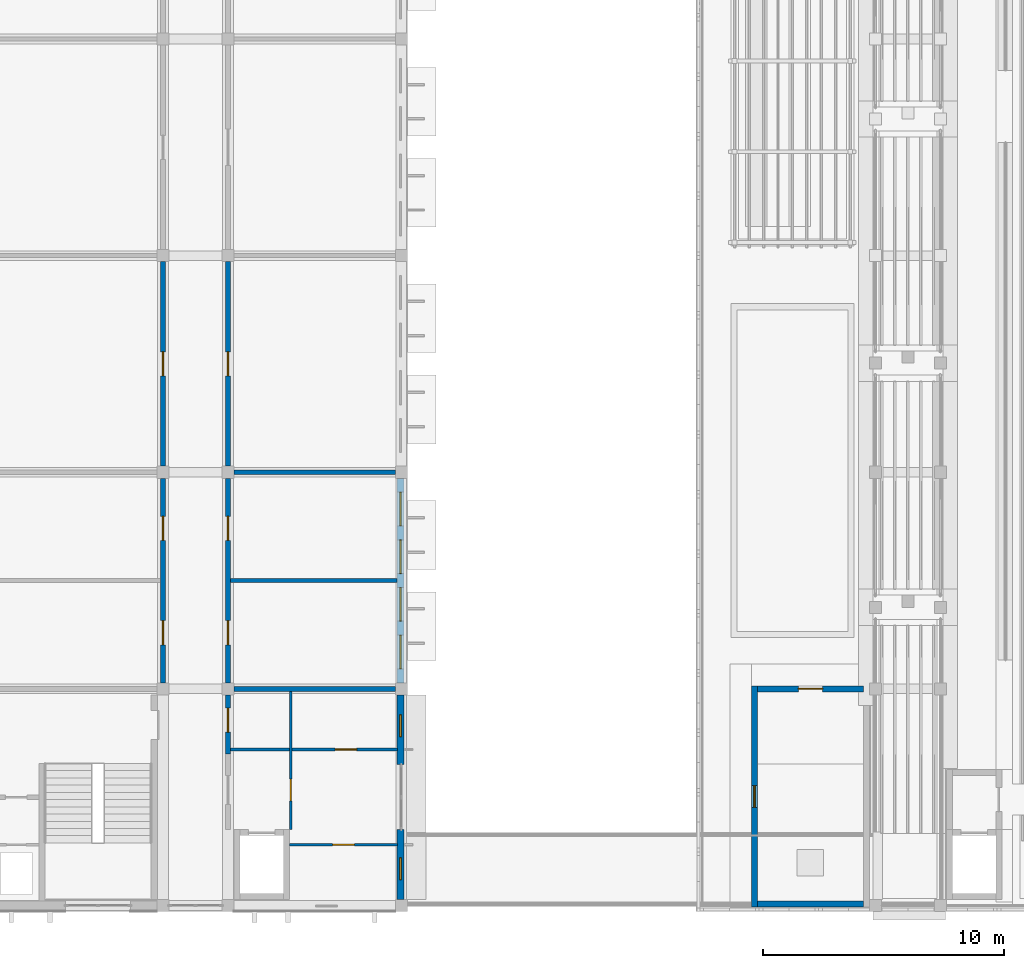
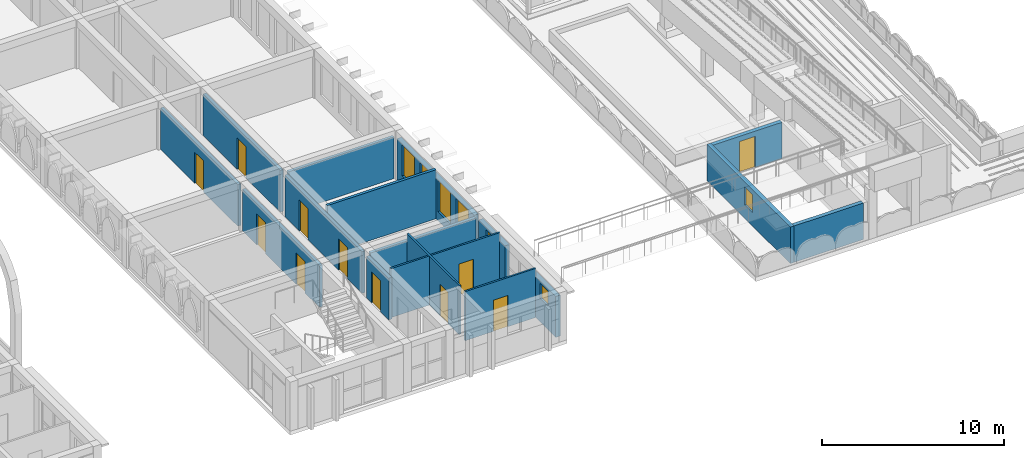
# One storey, part 40 of 65: 17 walls, 11 doors, 7 windows, 18 openings.
"""IFC4 building model written with IfcOpenShell, lengths in metres."""

from ifc_helpers import new_model, si_unit, direction, frame, frame_2d, origin, place, context, subcontext, project, spatial, rectangle, extrude, material, layer, layer_set, type_object, element, fill, save


model = new_model("IFC4")

# Units and contexts
model_context = context("Model", 3, precision=1e-05, world=origin(), true_north=direction((0.0, 1.0)))
body_context = subcontext(model_context, "Body", "Model", "MODEL_VIEW")
ifc_project = project(units=[si_unit("LENGTHUNIT", "METRE"), si_unit("AREAUNIT", "SQUARE_METRE"), si_unit("VOLUMEUNIT", "CUBIC_METRE"), si_unit("PLANEANGLEUNIT", "RADIAN"), si_unit("MASSUNIT", "GRAM", prefix="KILO")], contexts=[model_context])

# Site, building, storey
site_placement = place(None, origin())
site = spatial("IfcSite", under=ifc_project, at=site_placement, CompositionType="ELEMENT")
building_placement = place(site_placement, origin())
building = spatial("IfcBuilding", under=site, at=building_placement, Name="Elbe Cascade School", CompositionType="ELEMENT")
storey_placement = place(building_placement, frame((0.0, 0.0, 11.699951171875)))
storey = spatial("IfcBuildingStorey", under=building, at=storey_placement, Name="L03", CompositionType="ELEMENT", Elevation=11.699951171875)

# Walls
ifc_material_1 = material(Name="Masonry - lime-sand block, plastered", Category="masonry")
ifc_layer_1 = layer(ifc_material_1, 0.175048828125)
ifc_layer_set_1 = layer_set([ifc_layer_1], Name="Masonry - lime-sand block, plastered")
wall_type_1 = type_object("IfcWallType", Name="Bar classroom partition wall lime-sand block 175", PredefinedType="PARTITIONING", material=ifc_layer_set_1)
wall_1_placement = place(storey_placement, frame((108.60009765625, 19.5, 0.0), z_axis=(0.0, 0.0, 1.0), x_axis=(1.0, 0.0, 0.0)))
element("IfcWall", 1, at=wall_1_placement, inside=storey, type_object=wall_type_1, Name="Bar classroom partition wall lime-sand block 175", PredefinedType="PARTITIONING", context=body_context, shape_type="SweptSolid", body=[
    extrude(rectangle(XDim=6.919921875, YDim=0.175048828125, at=frame_2d((3.4599609375, 0.0))), origin(), (0.0, 0.0, 1.0), 3.300048828125),
])
wall_2_placement = place(storey_placement, frame((108.75, 24.0, 0.0), z_axis=(0.0, 0.0, 1.0), x_axis=(1.0, 0.0, 0.0)))
element("IfcWall", 2, at=wall_2_placement, inside=storey, type_object=wall_type_1, Name="Bar classroom partition wall lime-sand block 175", PredefinedType="PARTITIONING", context=body_context, shape_type="SweptSolid", body=[
    extrude(rectangle(XDim=6.699951171875, YDim=0.175048828125, at=frame_2d((3.35009765625, 0.0))), origin(), (0.0, 0.0, 1.0), 2.800048828125),
])

# Wall, opening, door
ifc_material_2 = material(Name="Masonry - lime-sand block, plastered", Category="masonry")
ifc_layer_2 = layer(ifc_material_2, 0.199951171875)
ifc_layer_set_2 = layer_set([ifc_layer_2], Name="Masonry - lime-sand block, plastered")
wall_type_2 = type_object("IfcWallType", Name="Bar corridor wall lime-sand block 200 EI 30", PredefinedType="PARTITIONING", material=ifc_layer_set_2)
wall_3_placement = place(storey_placement, frame((108.5, 12.300048828125, 0.0), z_axis=(0.0, 0.0, 1.0), x_axis=(0.0, 1.0, 0.0)))
wall_3 = element("IfcWall", 3, at=wall_3_placement, inside=storey, type_object=wall_type_2, Name="Bar corridor wall lime-sand block 200 EI 30", PredefinedType="PARTITIONING", context=body_context, shape_type="SweptSolid", body=[
    extrude(rectangle(XDim=2.449951171875, YDim=0.199951171875, at=frame_2d((1.22509765625, 0.0))), origin(), (0.0, 0.0, 1.0), 2.800048828125),
])
opening_1_placement = place(wall_3_placement, frame((0.89990234375, 0.0, 0.0)))
opening_1 = element("IfcOpeningElement", 4, at=opening_1_placement, cuts=wall_3, Name="Opening D3.037", PredefinedType="OPENING", context=body_context, shape_type="SweptSolid", body=[
    extrude(rectangle(XDim=1.0, YDim=2.10009765625, at=frame_2d((0.5, 1.050048828125))), frame((0.0, 0.10986328125, 0.0), z_axis=(0.0, -1.0, 0.0), x_axis=(1.0, 0.0, 0.0)), (0.0, 0.0, 1.0), 0.219970703125),
])
ifc_material_3 = material(Name="Timber door leaf, fire-resisting, steel frame", Category="steel")
door_type_1 = type_object("IfcDoorType", Name="Bar door FD30 1000x2100", OperationType="NOTDEFINED", PredefinedType="DOOR", material=ifc_material_3)
door_1_placement = place(opening_1_placement, origin())
door_1 = element("IfcDoor", 5, at=door_1_placement, inside=storey, type_object=door_type_1, Name="Door B3.10", OperationType="SINGLE_SWING_RIGHT", OverallHeight=2.10009765625, OverallWidth=1.0, PredefinedType="DOOR", context=body_context, shape_type="SweptSolid", body=[
    extrude(rectangle(XDim=1.0, YDim=2.10009765625, at=frame_2d((0.5, 1.050048828125))), frame((0.0, 0.02490234375, 0.0), z_axis=(0.0, -1.0, 0.0), x_axis=(1.0, 0.0, 0.0)), (0.0, 0.0, 1.0), 0.050048828125),
])
fill(opening_1, door_1)

# Wall, openings, doors
wall_4_placement = place(storey_placement, frame((105.800048828125, 15.25, 0.0), z_axis=(0.0, 0.0, 1.0), x_axis=(0.0, 1.0, 0.0)))
wall_4 = element("IfcWall", 6, at=wall_4_placement, inside=storey, type_object=wall_type_2, Name="Bar corridor wall lime-sand block 200 EI 30", PredefinedType="PARTITIONING", context=body_context, shape_type="SweptSolid", body=[
    extrude(rectangle(XDim=8.5, YDim=0.199951171875, at=frame_2d((4.25, 0.0))), origin(), (0.0, 0.0, 1.0), 2.800048828125),
])
opening_2_placement = place(wall_4_placement, frame((1.581298828125, 0.0, 0.0)))
opening_2 = element("IfcOpeningElement", 7, at=opening_2_placement, cuts=wall_4, Name="Opening D3.038", PredefinedType="OPENING", context=body_context, shape_type="SweptSolid", body=[
    extrude(rectangle(XDim=1.0, YDim=2.10009765625, at=frame_2d((0.5, 1.050048828125))), frame((0.0, 0.10986328125, 0.0), z_axis=(0.0, -1.0, 0.0), x_axis=(1.0, 0.0, 0.0)), (0.0, 0.0, 1.0), 0.219970703125),
])
opening_3_placement = place(wall_4_placement, frame((5.918701171875, 0.0, 0.0)))
opening_3 = element("IfcOpeningElement", 8, at=opening_3_placement, cuts=wall_4, Name="Opening D3.040", PredefinedType="OPENING", context=body_context, shape_type="SweptSolid", body=[
    extrude(rectangle(XDim=1.0, YDim=2.10009765625, at=frame_2d((0.5, 1.050048828125))), frame((0.0, 0.10986328125, 0.0), z_axis=(0.0, -1.0, 0.0), x_axis=(1.0, 0.0, 0.0)), (0.0, 0.0, 1.0), 0.219970703125),
])
door_2_placement = place(opening_2_placement, origin())
door_2 = element("IfcDoor", 9, at=door_2_placement, inside=storey, type_object=door_type_1, Name="Door B3.19", OperationType="SINGLE_SWING_RIGHT", OverallHeight=2.10009765625, OverallWidth=1.0, PredefinedType="DOOR", context=body_context, shape_type="SweptSolid", body=[
    extrude(rectangle(XDim=1.0, YDim=2.10009765625, at=frame_2d((0.5, 1.050048828125))), frame((0.0, 0.02490234375, 0.0), z_axis=(0.0, -1.0, 0.0), x_axis=(1.0, 0.0, 0.0)), (0.0, 0.0, 1.0), 0.050048828125),
])
fill(opening_2, door_2)
door_3_placement = place(opening_3_placement, origin())
door_3 = element("IfcDoor", 10, at=door_3_placement, inside=storey, type_object=door_type_1, Name="Door B3.20", OperationType="SINGLE_SWING_LEFT", OverallHeight=2.10009765625, OverallWidth=1.0, PredefinedType="DOOR", context=body_context, shape_type="SweptSolid", body=[
    extrude(rectangle(XDim=1.0, YDim=2.10009765625, at=frame_2d((0.5, 1.050048828125))), frame((0.0, 0.02490234375, 0.0), z_axis=(0.0, -1.0, 0.0), x_axis=(1.0, 0.0, 0.0)), (0.0, 0.0, 1.0), 0.050048828125),
])
fill(opening_3, door_3)

# Wall, opening, door
wall_5_placement = place(storey_placement, frame((105.800048828125, 24.25, 0.0), z_axis=(0.0, 0.0, 1.0), x_axis=(0.0, 1.0, 0.0)))
wall_5 = element("IfcWall", 11, at=wall_5_placement, inside=storey, type_object=wall_type_2, Name="Bar corridor wall lime-sand block 200 EI 30", PredefinedType="PARTITIONING", context=body_context, shape_type="SweptSolid", body=[
    extrude(rectangle(XDim=8.5, YDim=0.199951171875, at=frame_2d((4.25, 0.0))), origin(), (0.0, 0.0, 1.0), 2.800048828125),
])
opening_4_placement = place(wall_5_placement, frame((3.75, 0.0, 0.0)))
opening_4 = element("IfcOpeningElement", 12, at=opening_4_placement, cuts=wall_5, Name="Opening D3.042", PredefinedType="OPENING", context=body_context, shape_type="SweptSolid", body=[
    extrude(rectangle(XDim=1.0, YDim=2.10009765625, at=frame_2d((0.5, 1.050048828125))), frame((0.0, 0.10986328125, 0.0), z_axis=(0.0, -1.0, 0.0), x_axis=(1.0, 0.0, 0.0)), (0.0, 0.0, 1.0), 0.219970703125),
])
door_4_placement = place(opening_4_placement, origin())
door_4 = element("IfcDoor", 13, at=door_4_placement, inside=storey, type_object=door_type_1, Name="Door B3.21", OperationType="SINGLE_SWING_RIGHT", OverallHeight=2.10009765625, OverallWidth=1.0, PredefinedType="DOOR", context=body_context, shape_type="SweptSolid", body=[
    extrude(rectangle(XDim=1.0, YDim=2.10009765625, at=frame_2d((0.5, 1.050048828125))), frame((0.0, 0.02490234375, 0.0), z_axis=(0.0, -1.0, 0.0), x_axis=(1.0, 0.0, 0.0)), (0.0, 0.0, 1.0), 0.050048828125),
])
fill(opening_4, door_4)

# Wall, openings, doors
wall_6_placement = place(storey_placement, frame((108.5, 23.75, 0.0), z_axis=(0.0, 0.0, 1.0), x_axis=(0.0, -1.0, 0.0)))
wall_6 = element("IfcWall", 14, at=wall_6_placement, inside=storey, type_object=wall_type_2, Name="Bar corridor wall lime-sand block 200 EI 30", PredefinedType="PARTITIONING", context=body_context, shape_type="SweptSolid", body=[
    extrude(rectangle(XDim=8.5, YDim=0.199951171875, at=frame_2d((4.25, 0.0))), origin(), (0.0, 0.0, 1.0), 2.800048828125),
])
opening_5_placement = place(wall_6_placement, frame((5.918701171875, 0.0, 0.0)))
opening_5 = element("IfcOpeningElement", 15, at=opening_5_placement, cuts=wall_6, Name="Opening D3.039", PredefinedType="OPENING", context=body_context, shape_type="SweptSolid", body=[
    extrude(rectangle(XDim=1.0, YDim=2.10009765625, at=frame_2d((0.5, 1.050048828125))), frame((0.0, 0.10986328125, 0.0), z_axis=(0.0, -1.0, 0.0), x_axis=(1.0, 0.0, 0.0)), (0.0, 0.0, 1.0), 0.219970703125),
])
opening_6_placement = place(wall_6_placement, frame((1.581298828125, 0.0, 0.0)))
opening_6 = element("IfcOpeningElement", 16, at=opening_6_placement, cuts=wall_6, Name="Opening D3.041", PredefinedType="OPENING", context=body_context, shape_type="SweptSolid", body=[
    extrude(rectangle(XDim=1.0, YDim=2.10009765625, at=frame_2d((0.5, 1.050048828125))), frame((0.0, 0.10986328125, 0.0), z_axis=(0.0, -1.0, 0.0), x_axis=(1.0, 0.0, 0.0)), (0.0, 0.0, 1.0), 0.219970703125),
])
door_5_placement = place(opening_5_placement, origin())
door_5 = element("IfcDoor", 17, at=door_5_placement, inside=storey, type_object=door_type_1, Name="Door B3.24", OperationType="SINGLE_SWING_LEFT", OverallHeight=2.10009765625, OverallWidth=1.0, PredefinedType="DOOR", context=body_context, shape_type="SweptSolid", body=[
    extrude(rectangle(XDim=1.0, YDim=2.10009765625, at=frame_2d((0.5, 1.050048828125))), frame((0.0, 0.02490234375, 0.0), z_axis=(0.0, -1.0, 0.0), x_axis=(1.0, 0.0, 0.0)), (0.0, 0.0, 1.0), 0.050048828125),
])
fill(opening_5, door_5)
door_6_placement = place(opening_6_placement, origin())
door_6 = element("IfcDoor", 18, at=door_6_placement, inside=storey, type_object=door_type_1, Name="Door B3.25", OperationType="SINGLE_SWING_RIGHT", OverallHeight=2.10009765625, OverallWidth=1.0, PredefinedType="DOOR", context=body_context, shape_type="SweptSolid", body=[
    extrude(rectangle(XDim=1.0, YDim=2.10009765625, at=frame_2d((0.5, 1.050048828125))), frame((0.0, 0.02490234375, 0.0), z_axis=(0.0, -1.0, 0.0), x_axis=(1.0, 0.0, 0.0)), (0.0, 0.0, 1.0), 0.050048828125),
])
fill(opening_6, door_6)

# Wall, opening, door
wall_7_placement = place(storey_placement, frame((108.5, 32.75, 0.0), z_axis=(0.0, 0.0, 1.0), x_axis=(0.0, -1.0, 0.0)))
wall_7 = element("IfcWall", 19, at=wall_7_placement, inside=storey, type_object=wall_type_2, Name="Bar corridor wall lime-sand block 200 EI 30", PredefinedType="PARTITIONING", context=body_context, shape_type="SweptSolid", body=[
    extrude(rectangle(XDim=8.5, YDim=0.199951171875, at=frame_2d((4.25, 0.0))), origin(), (0.0, 0.0, 1.0), 2.800048828125),
])
opening_7_placement = place(wall_7_placement, frame((3.75, 0.0, 0.0)))
opening_7 = element("IfcOpeningElement", 20, at=opening_7_placement, cuts=wall_7, Name="Opening D3.043", PredefinedType="OPENING", context=body_context, shape_type="SweptSolid", body=[
    extrude(rectangle(XDim=1.0, YDim=2.10009765625, at=frame_2d((0.5, 1.050048828125))), frame((0.0, 0.10986328125, 0.0), z_axis=(0.0, -1.0, 0.0), x_axis=(1.0, 0.0, 0.0)), (0.0, 0.0, 1.0), 0.219970703125),
])
door_7_placement = place(opening_7_placement, origin())
door_7 = element("IfcDoor", 21, at=door_7_placement, inside=storey, type_object=door_type_1, Name="Door B3.26", OperationType="SINGLE_SWING_LEFT", OverallHeight=2.10009765625, OverallWidth=1.0, PredefinedType="DOOR", context=body_context, shape_type="SweptSolid", body=[
    extrude(rectangle(XDim=1.0, YDim=2.10009765625, at=frame_2d((0.5, 1.050048828125))), frame((0.0, 0.02490234375, 0.0), z_axis=(0.0, -1.0, 0.0), x_axis=(1.0, 0.0, 0.0)), (0.0, 0.0, 1.0), 0.050048828125),
])
fill(opening_7, door_7)

ifc_material_4 = material(Name="Masonry - lime-sand block, plastered", Category="masonry")
ifc_layer_3 = layer(ifc_material_4, 0.114990234375)
ifc_layer_set_3 = layer_set([ifc_layer_3], Name="Masonry - lime-sand block, plastered")
wall_type_3 = type_object("IfcWallType", Name="Bar light partition wall lime-sand block 115", PredefinedType="PARTITIONING", material=ifc_layer_set_3)
wall_8_placement = place(storey_placement, frame((111.107421875, 14.89990234375, 0.0), z_axis=(0.0, 0.0, 1.0), x_axis=(0.0, -1.0, 0.0)))
wall_8 = element("IfcWall", 22, at=wall_8_placement, inside=storey, type_object=wall_type_3, Name="Bar light partition wall lime-sand block 115", PredefinedType="PARTITIONING", context=body_context, shape_type="SweptSolid", body=[
    extrude(rectangle(XDim=5.75, YDim=0.114990234375, at=frame_2d((2.875, 0.0))), origin(), (0.0, 0.0, 1.0), 3.300048828125),
])
opening_8_placement = place(wall_8_placement, frame((3.64990234375, 0.0, 0.0)))
opening_8 = element("IfcOpeningElement", 23, at=opening_8_placement, cuts=wall_8, Name="Opening D3.034", PredefinedType="OPENING", context=body_context, shape_type="SweptSolid", body=[
    extrude(rectangle(XDim=0.89990234375, YDim=2.10009765625, at=frame_2d((0.449951171875, 1.050048828125))), frame((0.0, 0.0673828125, 0.0), z_axis=(0.0, -1.0, 0.0), x_axis=(1.0, 0.0, 0.0)), (0.0, 0.0, 1.0), 0.135009765625),
])
ifc_material_5 = material(Name="Timber door leaf, steel frame", Category="steel")
door_type_2 = type_object("IfcDoorType", Name="Bar door 900x2100", OperationType="NOTDEFINED", PredefinedType="DOOR", material=ifc_material_5)
door_8_placement = place(opening_8_placement, origin())
door_8 = element("IfcDoor", 24, at=door_8_placement, inside=storey, type_object=door_type_2, Name="Door B3.07", OperationType="SINGLE_SWING_LEFT", OverallHeight=2.10009765625, OverallWidth=0.89990234375, PredefinedType="DOOR", context=body_context, shape_type="SweptSolid", body=[
    extrude(rectangle(XDim=0.89990234375, YDim=2.10009765625, at=frame_2d((0.449951171875, 1.050048828125))), frame((0.0, 0.02490234375, 0.0), z_axis=(0.0, -1.0, 0.0), x_axis=(1.0, 0.0, 0.0)), (0.0, 0.0, 1.0), 0.050048828125),
])
fill(opening_8, door_8)

wall_9_placement = place(storey_placement, frame((115.550048828125, 8.52001953125, 0.0), z_axis=(0.0, 0.0, 1.0), x_axis=(-1.0, 0.0, 0.0)))
wall_9 = element("IfcWall", 25, at=wall_9_placement, inside=storey, type_object=wall_type_3, Name="Bar light partition wall lime-sand block 115", PredefinedType="PARTITIONING", context=body_context, shape_type="SweptSolid", body=[
    extrude(rectangle(XDim=4.5, YDim=0.114990234375, at=frame_2d((2.25, 0.0))), origin(), (0.0, 0.0, 1.0), 3.300048828125),
])
opening_9_placement = place(wall_9_placement, frame((1.800048828125, 0.0, 0.0)))
opening_9 = element("IfcOpeningElement", 26, at=opening_9_placement, cuts=wall_9, Name="Opening D3.030", PredefinedType="OPENING", context=body_context, shape_type="SweptSolid", body=[
    extrude(rectangle(XDim=0.89990234375, YDim=2.10009765625, at=frame_2d((0.449951171875, 1.050048828125))), frame((0.0, 0.0673828125, 0.0), z_axis=(0.0, -1.0, 0.0), x_axis=(1.0, 0.0, 0.0)), (0.0, 0.0, 1.0), 0.135009765625),
])
door_9_placement = place(opening_9_placement, origin())
door_9 = element("IfcDoor", 27, at=door_9_placement, inside=storey, type_object=door_type_2, Name="Door B3.08", OperationType="SINGLE_SWING_LEFT", OverallHeight=2.10009765625, OverallWidth=0.89990234375, PredefinedType="DOOR", context=body_context, shape_type="SweptSolid", body=[
    extrude(rectangle(XDim=0.89990234375, YDim=2.10009765625, at=frame_2d((0.449951171875, 1.050048828125))), frame((0.0, 0.02490234375, 0.0), z_axis=(0.0, -1.0, 0.0), x_axis=(1.0, 0.0, 0.0)), (0.0, 0.0, 1.0), 0.050048828125),
])
fill(opening_9, door_9)

wall_10_placement = place(storey_placement, frame((108.60009765625, 12.47998046875, 0.0), z_axis=(0.0, 0.0, 1.0), x_axis=(1.0, 0.0, 0.0)))
wall_10 = element("IfcWall", 28, at=wall_10_placement, inside=storey, type_object=wall_type_3, Name="Bar light partition wall lime-sand block 115", PredefinedType="PARTITIONING", context=body_context, shape_type="SweptSolid", body=[
    extrude(rectangle(XDim=6.949951171875, YDim=0.114990234375, at=frame_2d((3.47509765625, 0.0))), origin(), (0.0, 0.0, 1.0), 3.300048828125),
])
opening_10_placement = place(wall_10_placement, frame((4.35009765625, 0.0, 0.0)))
opening_10 = element("IfcOpeningElement", 29, at=opening_10_placement, cuts=wall_10, Name="Opening D3.035", PredefinedType="OPENING", context=body_context, shape_type="SweptSolid", body=[
    extrude(rectangle(XDim=0.89990234375, YDim=2.10009765625, at=frame_2d((0.449951171875, 1.050048828125))), frame((0.0, 0.0673828125, 0.0), z_axis=(0.0, -1.0, 0.0), x_axis=(1.0, 0.0, 0.0)), (0.0, 0.0, 1.0), 0.135009765625),
])
door_10_placement = place(opening_10_placement, origin())
door_10 = element("IfcDoor", 30, at=door_10_placement, inside=storey, type_object=door_type_2, Name="Door B3.09", OperationType="SINGLE_SWING_RIGHT", OverallHeight=2.10009765625, OverallWidth=0.89990234375, PredefinedType="DOOR", context=body_context, shape_type="SweptSolid", body=[
    extrude(rectangle(XDim=0.89990234375, YDim=2.10009765625, at=frame_2d((0.449951171875, 1.050048828125))), frame((0.0, 0.02490234375, 0.0), z_axis=(0.0, -1.0, 0.0), x_axis=(1.0, 0.0, 0.0)), (0.0, 0.0, 1.0), 0.050048828125),
])
fill(opening_10, door_10)

# Wall
ifc_material_6 = material(Name="Masonry - lime-sand block, plastered", Category="masonry")
ifc_layer_4 = layer(ifc_material_6, 0.199951171875)
ifc_layer_set_4 = layer_set([ifc_layer_4], Name="Masonry - lime-sand block, plastered")
wall_type_4 = type_object("IfcWallType", Name="Bar partition wall lime-sand block 200", PredefinedType="PARTITIONING", material=ifc_layer_set_4)
wall_11_placement = place(storey_placement, frame((108.75, 15.0, 0.0), z_axis=(0.0, 0.0, 1.0), x_axis=(1.0, 0.0, 0.0)))
element("IfcWall", 31, at=wall_11_placement, inside=storey, type_object=wall_type_4, Name="Bar partition wall lime-sand block 200", PredefinedType="PARTITIONING", context=body_context, shape_type="SweptSolid", body=[
    extrude(rectangle(XDim=6.699951171875, YDim=0.199951171875, at=frame_2d((3.35009765625, 0.0))), origin(), (0.0, 0.0, 1.0), 2.800048828125),
])

# Wall, opening, window
ifc_material_7 = material(Name="Brick masonry - red clinker, cavity wall with render backing", Category="masonry")
ifc_layer_5 = layer(ifc_material_7, 0.300048828125)
ifc_layer_set_5 = layer_set([ifc_layer_5], Name="Brick masonry - red clinker, cavity wall with render backing")
wall_type_5 = type_object("IfcWallType", Name="Bars envelope External wall - clinker brick cavity, 300 upper floors", PredefinedType="STANDARD", material=ifc_layer_set_5)
wall_12_placement = place(storey_placement, frame((115.669921875, 9.14990234375, 0.0), z_axis=(0.0, 0.0, 1.0), x_axis=(0.0, -1.0, 0.0)))
wall_12 = element("IfcWall", 32, at=wall_12_placement, inside=storey, type_object=wall_type_5, Name="External wall W30 B.L03.e1a", PredefinedType="STANDARD", context=body_context, shape_type="SweptSolid", body=[
    extrude(rectangle(XDim=2.89990234375, YDim=0.300048828125, at=frame_2d((1.449951171875, 0.0))), origin(), (0.0, 0.0, 1.0), 2.75),
])
opening_11_placement = place(wall_12_placement, frame((1.169921875, 0.0, 1.60009765625)))
opening_11 = element("IfcOpeningElement", 33, at=opening_11_placement, cuts=wall_12, Name="Opening W3.040", PredefinedType="OPENING", context=body_context, shape_type="SweptSolid", body=[
    extrude(rectangle(XDim=0.89990234375, YDim=1.0, at=frame_2d((0.449951171875, 0.5))), frame((0.0, 0.159912109375, 0.0), z_axis=(0.0, -1.0, 0.0), x_axis=(1.0, 0.0, 0.0)), (0.0, 0.0, 1.0), 0.320068359375),
])
ifc_material_8 = material(Name="Aluminium frame with double glazing, bronze anodised", Category="aluminium")
window_type_1 = type_object("IfcWindowType", Name="Bars envelope Window 900 x 1000, WC and service room, high level, aluminium double glazed", PartitioningType="SINGLE_PANEL", PredefinedType="WINDOW", material=ifc_material_8)
window_1_placement = place(opening_11_placement, origin())
window_1 = element("IfcWindow", 34, at=window_1_placement, inside=storey, type_object=window_type_1, Name="Window WN4 B.L03.e1a.1", OverallHeight=1.0, OverallWidth=0.89990234375, PartitioningType="SINGLE_PANEL", PredefinedType="WINDOW", context=body_context, shape_type="SweptSolid", body=[
    extrude(rectangle(XDim=0.89990234375, YDim=1.0, at=frame_2d((0.449951171875, 0.5))), frame((0.0, 0.030029296875, 0.0), z_axis=(0.0, -1.0, 0.0), x_axis=(1.0, 0.0, 0.0)), (0.0, 0.0, 1.0), 0.06005859375),
])
fill(opening_11, window_1)

wall_13_placement = place(storey_placement, frame((115.669921875, 14.75, 0.0), z_axis=(0.0, 0.0, 1.0), x_axis=(0.0, -1.0, 0.0)))
wall_13 = element("IfcWall", 35, at=wall_13_placement, inside=storey, type_object=wall_type_5, Name="External wall W30 B.L03.e1b", PredefinedType="STANDARD", context=body_context, shape_type="SweptSolid", body=[
    extrude(rectangle(XDim=2.89990234375, YDim=0.300048828125, at=frame_2d((1.449951171875, 0.0))), origin(), (0.0, 0.0, 1.0), 2.75),
])
opening_12_placement = place(wall_13_placement, frame((0.830078125, 0.0, 1.60009765625)))
opening_12 = element("IfcOpeningElement", 36, at=opening_12_placement, cuts=wall_13, Name="Opening W3.041", PredefinedType="OPENING", context=body_context, shape_type="SweptSolid", body=[
    extrude(rectangle(XDim=0.89990234375, YDim=1.0, at=frame_2d((0.449951171875, 0.5))), frame((0.0, 0.159912109375, 0.0), z_axis=(0.0, -1.0, 0.0), x_axis=(1.0, 0.0, 0.0)), (0.0, 0.0, 1.0), 0.320068359375),
])
window_2_placement = place(opening_12_placement, origin())
window_2 = element("IfcWindow", 37, at=window_2_placement, inside=storey, type_object=window_type_1, Name="Window WN4 B.L03.e1b.1", OverallHeight=1.0, OverallWidth=0.89990234375, PartitioningType="SINGLE_PANEL", PredefinedType="WINDOW", context=body_context, shape_type="SweptSolid", body=[
    extrude(rectangle(XDim=0.89990234375, YDim=1.0, at=frame_2d((0.449951171875, 0.5))), frame((0.0, 0.030029296875, 0.0), z_axis=(0.0, -1.0, 0.0), x_axis=(1.0, 0.0, 0.0)), (0.0, 0.0, 1.0), 0.06005859375),
])
fill(opening_12, window_2)

# Wall, openings, windows
wall_14_placement = place(storey_placement, frame((115.669921875, 23.75, 0.0), z_axis=(0.0, 0.0, 1.0), x_axis=(0.0, -1.0, 0.0)))
wall_14 = element("IfcWall", 38, at=wall_14_placement, inside=storey, type_object=wall_type_5, Name="External wall W30 B.L03.e2", PredefinedType="STANDARD", context=body_context, shape_type="SweptSolid", body=[
    extrude(rectangle(XDim=8.5, YDim=0.300048828125, at=frame_2d((4.25, 0.0))), origin(), (0.0, 0.0, 1.0), 2.75),
])
opening_13_placement = place(wall_14_placement, frame((6.52001953125, 0.0, 0.60009765625)))
opening_13 = element("IfcOpeningElement", 39, at=opening_13_placement, cuts=wall_14, Name="Opening W3.043", PredefinedType="OPENING", context=body_context, shape_type="SweptSolid", body=[
    extrude(rectangle(XDim=1.39990234375, YDim=2.10009765625, at=frame_2d((0.699951171875, 1.050048828125))), frame((0.0, 0.159912109375, 0.0), z_axis=(0.0, -1.0, 0.0), x_axis=(1.0, 0.0, 0.0)), (0.0, 0.0, 1.0), 0.320068359375),
])
opening_14_placement = place(wall_14_placement, frame((4.5400390625, 0.0, 0.60009765625)))
opening_14 = element("IfcOpeningElement", 40, at=opening_14_placement, cuts=wall_14, Name="Opening W3.045", PredefinedType="OPENING", context=body_context, shape_type="SweptSolid", body=[
    extrude(rectangle(XDim=1.39990234375, YDim=2.10009765625, at=frame_2d((0.699951171875, 1.050048828125))), frame((0.0, 0.159912109375, 0.0), z_axis=(0.0, -1.0, 0.0), x_axis=(1.0, 0.0, 0.0)), (0.0, 0.0, 1.0), 0.320068359375),
])
opening_15_placement = place(wall_14_placement, frame((2.56005859375, 0.0, 0.60009765625)))
opening_15 = element("IfcOpeningElement", 41, at=opening_15_placement, cuts=wall_14, Name="Opening W3.047", PredefinedType="OPENING", context=body_context, shape_type="SweptSolid", body=[
    extrude(rectangle(XDim=1.39990234375, YDim=2.10009765625, at=frame_2d((0.699951171875, 1.050048828125))), frame((0.0, 0.159912109375, 0.0), z_axis=(0.0, -1.0, 0.0), x_axis=(1.0, 0.0, 0.0)), (0.0, 0.0, 1.0), 0.320068359375),
])
opening_16_placement = place(wall_14_placement, frame((0.580078125, 0.0, 0.60009765625)))
opening_16 = element("IfcOpeningElement", 42, at=opening_16_placement, cuts=wall_14, Name="Opening W3.049", PredefinedType="OPENING", context=body_context, shape_type="SweptSolid", body=[
    extrude(rectangle(XDim=1.39990234375, YDim=2.10009765625, at=frame_2d((0.699951171875, 1.050048828125))), frame((0.0, 0.159912109375, 0.0), z_axis=(0.0, -1.0, 0.0), x_axis=(1.0, 0.0, 0.0)), (0.0, 0.0, 1.0), 0.320068359375),
])
ifc_material_9 = material(Name="Aluminium frame with double glazing, bronze anodised", Category="aluminium")
window_type_2 = type_object("IfcWindowType", Name="Bars envelope Window 1400 x 2100, classroom, aluminium double glazed", PartitioningType="DOUBLE_PANEL_VERTICAL", PredefinedType="WINDOW", material=ifc_material_9)
window_3_placement = place(opening_13_placement, origin())
window_3 = element("IfcWindow", 43, at=window_3_placement, inside=storey, type_object=window_type_2, Name="Window WN8 B.L03.e2.1", OverallHeight=2.10009765625, OverallWidth=1.39990234375, PartitioningType="DOUBLE_PANEL_VERTICAL", PredefinedType="WINDOW", context=body_context, shape_type="SweptSolid", body=[
    extrude(rectangle(XDim=1.39990234375, YDim=2.10009765625, at=frame_2d((0.699951171875, 1.050048828125))), frame((0.0, 0.030029296875, 0.0), z_axis=(0.0, -1.0, 0.0), x_axis=(1.0, 0.0, 0.0)), (0.0, 0.0, 1.0), 0.06005859375),
])
fill(opening_13, window_3)
window_4_placement = place(opening_14_placement, origin())
window_4 = element("IfcWindow", 44, at=window_4_placement, inside=storey, type_object=window_type_2, Name="Window WN8 B.L03.e2.2", OverallHeight=2.10009765625, OverallWidth=1.39990234375, PartitioningType="DOUBLE_PANEL_VERTICAL", PredefinedType="WINDOW", context=body_context, shape_type="SweptSolid", body=[
    extrude(rectangle(XDim=1.39990234375, YDim=2.10009765625, at=frame_2d((0.699951171875, 1.050048828125))), frame((0.0, 0.030029296875, 0.0), z_axis=(0.0, -1.0, 0.0), x_axis=(1.0, 0.0, 0.0)), (0.0, 0.0, 1.0), 0.06005859375),
])
fill(opening_14, window_4)
window_5_placement = place(opening_15_placement, origin())
window_5 = element("IfcWindow", 45, at=window_5_placement, inside=storey, type_object=window_type_2, Name="Window WN8 B.L03.e2.3", OverallHeight=2.10009765625, OverallWidth=1.39990234375, PartitioningType="DOUBLE_PANEL_VERTICAL", PredefinedType="WINDOW", context=body_context, shape_type="SweptSolid", body=[
    extrude(rectangle(XDim=1.39990234375, YDim=2.10009765625, at=frame_2d((0.699951171875, 1.050048828125))), frame((0.0, 0.030029296875, 0.0), z_axis=(0.0, -1.0, 0.0), x_axis=(1.0, 0.0, 0.0)), (0.0, 0.0, 1.0), 0.06005859375),
])
fill(opening_15, window_5)
window_6_placement = place(opening_16_placement, origin())
window_6 = element("IfcWindow", 46, at=window_6_placement, inside=storey, type_object=window_type_2, Name="Window WN8 B.L03.e2.4", OverallHeight=2.10009765625, OverallWidth=1.39990234375, PartitioningType="DOUBLE_PANEL_VERTICAL", PredefinedType="WINDOW", context=body_context, shape_type="SweptSolid", body=[
    extrude(rectangle(XDim=1.39990234375, YDim=2.10009765625, at=frame_2d((0.699951171875, 1.050048828125))), frame((0.0, 0.030029296875, 0.0), z_axis=(0.0, -1.0, 0.0), x_axis=(1.0, 0.0, 0.0)), (0.0, 0.0, 1.0), 0.06005859375),
])
fill(opening_16, window_6)

# Wall, opening, window
ifc_material_10 = material(Name="Concrete C30/37", Category="concrete")
ifc_layer_6 = layer(ifc_material_10, 0.25)
ifc_layer_set_6 = layer_set([ifc_layer_6], Name="Concrete C30/37")
wall_type_6 = type_object("IfcWallType", Name="Head-house wall 250", PredefinedType="SOLIDWALL", material=ifc_layer_set_6)
wall_15_placement = place(storey_placement, frame((130.375, 5.929931640625, 0.0), z_axis=(0.0, 0.0, 1.0), x_axis=(0.0, 1.0, 0.0)))
wall_15 = element("IfcWall", 47, at=wall_15_placement, inside=storey, type_object=wall_type_6, Name="Head-house wall 250 W2", PredefinedType="SOLIDWALL", context=body_context, shape_type="SweptSolid", body=[
    extrude(rectangle(XDim=9.195068359375, YDim=0.25, at=frame_2d((4.59765625, 0.0))), origin(), (0.0, 0.0, 1.0), 2.449951171875),
])
opening_17_placement = place(wall_15_placement, frame((4.1474609375, 0.0, 0.89990234375)))
opening_17 = element("IfcOpeningElement", 48, at=opening_17_placement, cuts=wall_15, Name="Opening W3.081", PredefinedType="OPENING", context=body_context, shape_type="SweptSolid", body=[
    extrude(rectangle(XDim=0.89990234375, YDim=1.199951171875, at=frame_2d((0.449951171875, 0.60009765625))), frame((0.0, 0.135009765625, 0.0), z_axis=(0.0, -1.0, 0.0), x_axis=(1.0, 0.0, 0.0)), (0.0, 0.0, 1.0), 0.27001953125),
])
ifc_material_11 = material(Name="Aluminium frame with double glazing, bronze anodised", Category="aluminium")
window_type_3 = type_object("IfcWindowType", Name="Bars envelope Head-house window 900 x 1200, stair daylight, aluminium double glazed", PartitioningType="SINGLE_PANEL", PredefinedType="WINDOW", material=ifc_material_11)
window_7_placement = place(opening_17_placement, origin())
window_7 = element("IfcWindow", 49, at=window_7_placement, inside=storey, type_object=window_type_3, Name="Window WN10 C.L03.head-house south", OverallHeight=1.199951171875, OverallWidth=0.89990234375, PartitioningType="SINGLE_PANEL", PredefinedType="WINDOW", context=body_context, shape_type="SweptSolid", body=[
    extrude(rectangle(XDim=0.89990234375, YDim=1.199951171875, at=frame_2d((0.449951171875, 0.60009765625))), frame((0.0, 0.030029296875, 0.0), z_axis=(0.0, -1.0, 0.0), x_axis=(1.0, 0.0, 0.0)), (0.0, 0.0, 1.0), 0.06005859375),
])
fill(opening_17, window_7)

# Wall
wall_16_placement = place(storey_placement, frame((130.5, 6.054931640625, 0.0), z_axis=(0.0, 0.0, 1.0), x_axis=(1.0, 0.0, 0.0)))
element("IfcWall", 50, at=wall_16_placement, inside=storey, type_object=wall_type_6, Name="Head-house wall 250 W2", PredefinedType="SOLIDWALL", context=body_context, shape_type="SweptSolid", body=[
    extrude(rectangle(XDim=4.39990234375, YDim=0.25, at=frame_2d((2.199951171875, 0.0))), origin(), (0.0, 0.0, 1.0), 2.449951171875),
])

# Wall, opening, door
wall_17_placement = place(storey_placement, frame((130.5, 15.0, 0.0), z_axis=(0.0, 0.0, 1.0), x_axis=(1.0, 0.0, 0.0)))
wall_17 = element("IfcWall", 51, at=wall_17_placement, inside=storey, type_object=wall_type_6, Name="Head-house wall 250 W2", PredefinedType="SOLIDWALL", context=body_context, shape_type="SweptSolid", body=[
    extrude(rectangle(XDim=4.39990234375, YDim=0.25, at=frame_2d((2.199951171875, 0.0))), origin(), (0.0, 0.0, 1.0), 2.449951171875),
])
opening_18_placement = place(wall_17_placement, frame((1.699951171875, 0.0, 0.0)))
opening_18 = element("IfcOpeningElement", 52, at=opening_18_placement, cuts=wall_17, Name="Opening D3.057", PredefinedType="OPENING", context=body_context, shape_type="SweptSolid", body=[
    extrude(rectangle(XDim=1.0, YDim=2.10009765625, at=frame_2d((0.5, 1.050048828125))), frame((0.0, 0.135009765625, 0.0), z_axis=(0.0, -1.0, 0.0), x_axis=(1.0, 0.0, 0.0)), (0.0, 0.0, 1.0), 0.27001953125),
])
ifc_material_12 = material(Name="Head-house door 1000x2100")
door_type_3 = type_object("IfcDoorType", Name="Head-house door 1000x2100", OperationType="SINGLE_SWING_RIGHT", PredefinedType="DOOR", material=ifc_material_12)
door_11_placement = place(opening_18_placement, origin())
door_11 = element("IfcDoor", 53, at=door_11_placement, inside=storey, type_object=door_type_3, Name="Head-house door 1000x2100 D3.057", OperationType="SINGLE_SWING_RIGHT", OverallHeight=2.10009765625, OverallWidth=1.0, PredefinedType="DOOR", context=body_context, shape_type="SweptSolid", body=[
    extrude(rectangle(XDim=1.0, YDim=2.10009765625, at=frame_2d((0.5, 1.050048828125))), frame((0.0, 0.02490234375, 0.0), z_axis=(0.0, -1.0, 0.0), x_axis=(1.0, 0.0, 0.0)), (0.0, 0.0, 1.0), 0.050048828125),
])
fill(opening_18, door_11)

save(model, "model.ifc")
